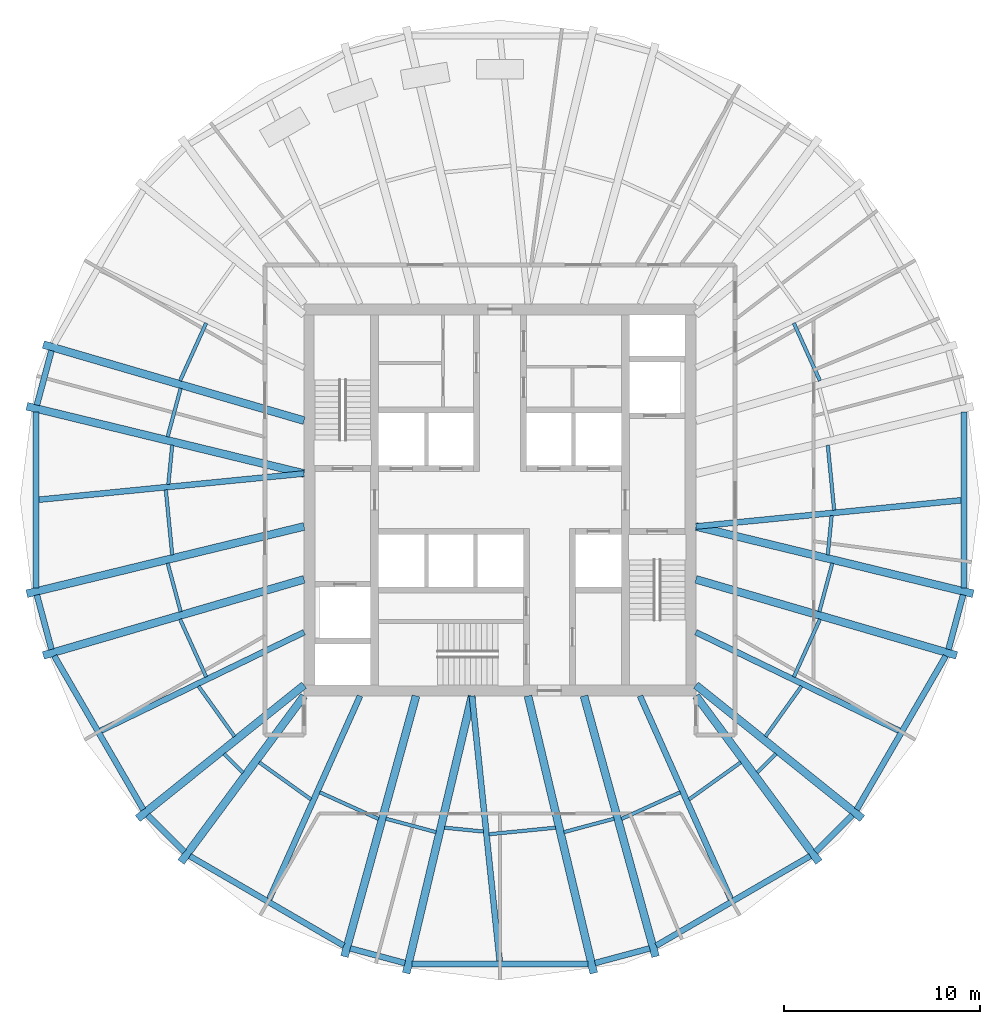
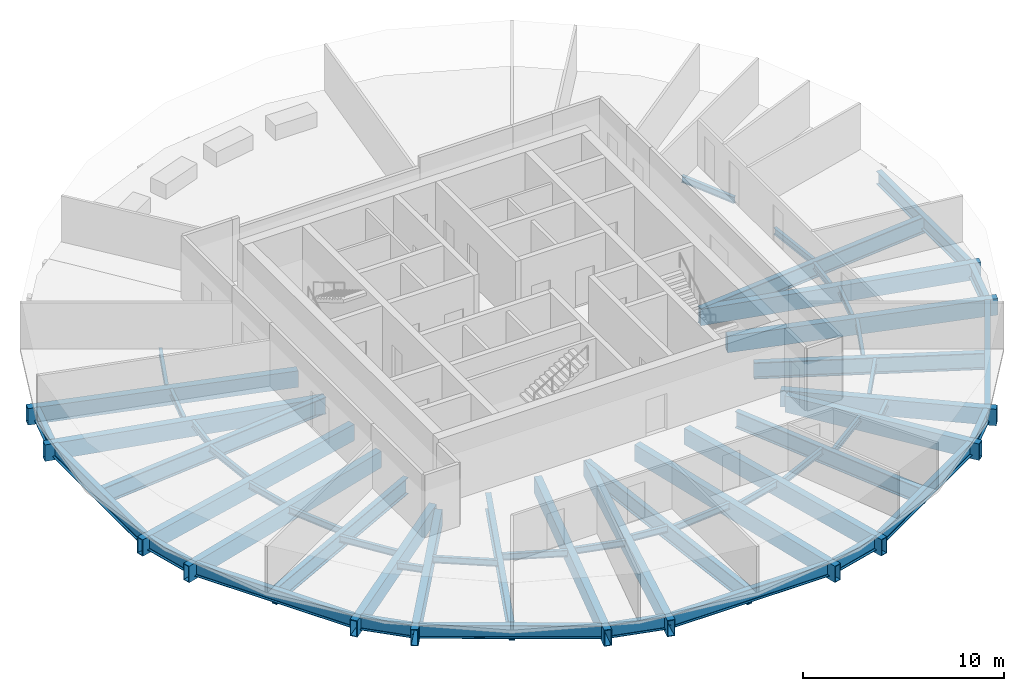
# One storey, part 1 of 7: 58 beams.
"""IFC4 building model written with IfcOpenShell, lengths in metres."""

from ifc_helpers import new_model, si_unit, direction, frame, origin, origin_2d, place, context, subcontext, project, spatial, hollow_rectangle, i_section, extrude, material, material_profile, profile_set, type_object, element, save


model = new_model("IFC4")

# Units and contexts
model_context = context("Model", 3, precision=1e-05, world=origin(), true_north=direction((0.0, 1.0)))
body_context = subcontext(model_context, "Body", "Model", "MODEL_VIEW")
ifc_project = project(units=[si_unit("LENGTHUNIT", "METRE"), si_unit("AREAUNIT", "SQUARE_METRE"), si_unit("VOLUMEUNIT", "CUBIC_METRE"), si_unit("PLANEANGLEUNIT", "RADIAN"), si_unit("MASSUNIT", "GRAM", prefix="KILO")], contexts=[model_context])

# Site, building, storey
site_placement = place(None, origin())
site = spatial("IfcSite", under=ifc_project, at=site_placement, CompositionType="ELEMENT")
building_placement = place(site_placement, origin())
building = spatial("IfcBuilding", under=site, at=building_placement, Name="Golbaran Civic Tower", CompositionType="ELEMENT")
storey_placement = place(building_placement, frame((0.0, 0.0, 106.0)))
storey = spatial("IfcBuildingStorey", under=building, at=storey_placement, Name="L25", CompositionType="ELEMENT", Elevation=106.0)

# Beams
ifc_material = material(Name="Steel S355", Category="steel")
ifc_material_profile_1 = material_profile(ifc_material, i_section(OverallWidth=0.300048828125, OverallDepth=0.800048828125, WebThickness=0.017578125, FlangeThickness=0.032958984375, FilletRadius=0.030029296875, at=origin_2d()), Name="HEB 800")
ifc_profile_set_1 = profile_set([ifc_material_profile_1], Name="Steel S355")
beam_type_1 = type_object("IfcBeamType", Name="EDGE BEAM HEB 800", PredefinedType="BEAM", material=ifc_profile_set_1)
beam_1_placement = place(storey_placement, frame((-22.890380859375, 7.623291015625, -0.60009765625), z_axis=(-0.258798311306, -0.965931381655, 0.0), x_axis=(0.965931381655, -0.258798311306, 0.0)))
element("IfcBeam", 1, at=beam_1_placement, inside=storey, type_object=beam_type_1, Name="Edge beam 161.26 L25", PredefinedType="BEAM", context=body_context, shape_type="SweptSolid", body=[
    extrude(i_section(OverallWidth=0.300048828125, OverallDepth=0.800048828125, WebThickness=0.017578125, FlangeThickness=0.032958984375, FilletRadius=0.030029296875, at=origin_2d()), origin(), (0.0, 0.0, 1.0), 2.876220703125),
])
beam_2_placement = place(storey_placement, frame((-23.681396484375, 4.48583984375, -0.60009765625), z_axis=(0.0, -1.0, 0.0), x_axis=(1.0, 0.0, 0.0)))
element("IfcBeam", 2, at=beam_2_placement, inside=storey, type_object=beam_type_1, Name="Edge beam 168.74 L25", PredefinedType="BEAM", context=body_context, shape_type="SweptSolid", body=[
    extrude(i_section(OverallWidth=0.300048828125, OverallDepth=0.800048828125, WebThickness=0.017578125, FlangeThickness=0.032958984375, FilletRadius=0.030029296875, at=origin_2d()), origin(), (0.0, 0.0, 1.0), 8.9716796875),
])
beam_3_placement = place(storey_placement, frame((-23.634765625, -4.844970703125, -0.60009765625), z_axis=(0.258798311306, -0.965931381655, 0.0), x_axis=(0.965931381655, 0.258798311306, 0.0)))
element("IfcBeam", 3, at=beam_3_placement, inside=storey, type_object=beam_type_1, Name="Edge beam 191.26 L25", PredefinedType="BEAM", context=body_context, shape_type="SweptSolid", body=[
    extrude(i_section(OverallWidth=0.300048828125, OverallDepth=0.800048828125, WebThickness=0.017578125, FlangeThickness=0.032958984375, FilletRadius=0.030029296875, at=origin_2d()), origin(), (0.0, 0.0, 1.0), 2.876220703125),
])
beam_4_placement = place(storey_placement, frame((-22.750732421875, -7.95751953125, -0.60009765625), z_axis=(0.501692291234, -0.865046151899, 0.0), x_axis=(0.865046151899, 0.501692291234, 0.0)))
element("IfcBeam", 4, at=beam_4_placement, inside=storey, type_object=beam_type_1, Name="Edge beam 198.74 L25", PredefinedType="BEAM", context=body_context, shape_type="SweptSolid", body=[
    extrude(i_section(OverallWidth=0.300048828125, OverallDepth=0.800048828125, WebThickness=0.017578125, FlangeThickness=0.032958984375, FilletRadius=0.030029296875, at=origin_2d()), origin(), (0.0, 0.0, 1.0), 9.06396484375),
])
beam_5_placement = place(storey_placement, frame((-17.98388671875, -16.083984375, -0.60009765625), z_axis=(0.706506383865, -0.707706669149, 0.0), x_axis=(0.707706669149, 0.706506383865, 0.0)))
element("IfcBeam", 5, at=beam_5_placement, inside=storey, type_object=beam_type_1, Name="Edge beam 221.26 L25", PredefinedType="BEAM", context=body_context, shape_type="SweptSolid", body=[
    extrude(i_section(OverallWidth=0.300048828125, OverallDepth=0.800048828125, WebThickness=0.017578125, FlangeThickness=0.032958984375, FilletRadius=0.030029296875, at=origin_2d()), origin(), (0.0, 0.0, 1.0), 2.644287109375),
])
beam_6_placement = place(storey_placement, frame((-15.830810546875, -18.17529296875, -0.60009765625), z_axis=(0.864428999751, -0.502754914834, 0.0), x_axis=(0.502754914834, 0.864428999751, 0.0)))
element("IfcBeam", 6, at=beam_6_placement, inside=storey, type_object=beam_type_1, Name="Edge beam 228.74 L25", PredefinedType="BEAM", context=body_context, shape_type="SweptSolid", body=[
    extrude(i_section(OverallWidth=0.300048828125, OverallDepth=0.800048828125, WebThickness=0.017578125, FlangeThickness=0.032958984375, FilletRadius=0.030029296875, at=origin_2d()), origin(), (0.0, 0.0, 1.0), 9.088623046875),
])
beam_7_placement = place(storey_placement, frame((-7.639404296875, -22.884765625, -0.60009765625), z_axis=(0.96577881676, -0.259367070187, 0.0), x_axis=(0.259367070187, 0.96577881676, 0.0)))
element("IfcBeam", 7, at=beam_7_placement, inside=storey, type_object=beam_type_1, Name="Edge beam 251.26 L25", PredefinedType="BEAM", context=body_context, shape_type="SweptSolid", body=[
    extrude(i_section(OverallWidth=0.300048828125, OverallDepth=0.800048828125, WebThickness=0.017578125, FlangeThickness=0.032958984375, FilletRadius=0.030029296875, at=origin_2d()), origin(), (0.0, 0.0, 1.0), 2.887939453125),
])
beam_8_placement = place(storey_placement, frame((-4.491455078125, -23.680419921875, -0.60009765625), z_axis=(1.0, 0.0, 0.0), x_axis=(0.0, 1.0, 0.0)))
element("IfcBeam", 8, at=beam_8_placement, inside=storey, type_object=beam_type_1, Name="Edge beam 258.74 L25", PredefinedType="BEAM", context=body_context, shape_type="SweptSolid", body=[
    extrude(i_section(OverallWidth=0.300048828125, OverallDepth=0.800048828125, WebThickness=0.017578125, FlangeThickness=0.032958984375, FilletRadius=0.030029296875, at=origin_2d()), origin(), (0.0, 0.0, 1.0), 8.98291015625),
])
beam_9_placement = place(storey_placement, frame((4.850341796875, -23.6337890625, -0.60009765625), z_axis=(0.96577881676, 0.259367070187, 0.0), x_axis=(-0.259367070187, 0.96577881676, 0.0)))
element("IfcBeam", 9, at=beam_9_placement, inside=storey, type_object=beam_type_1, Name="Edge beam 281.26 L25", PredefinedType="BEAM", context=body_context, shape_type="SweptSolid", body=[
    extrude(i_section(OverallWidth=0.300048828125, OverallDepth=0.800048828125, WebThickness=0.017578125, FlangeThickness=0.032958984375, FilletRadius=0.030029296875, at=origin_2d()), origin(), (0.0, 0.0, 1.0), 2.887939453125),
])
beam_10_placement = place(storey_placement, frame((7.974365234375, -22.74462890625, -0.60009765625), z_axis=(0.864428999751, 0.502754914834, 0.0), x_axis=(-0.502754914834, 0.864428999751, 0.0)))
element("IfcBeam", 10, at=beam_10_placement, inside=storey, type_object=beam_type_1, Name="Edge beam 288.74 L25", PredefinedType="BEAM", context=body_context, shape_type="SweptSolid", body=[
    extrude(i_section(OverallWidth=0.300048828125, OverallDepth=0.800048828125, WebThickness=0.017578125, FlangeThickness=0.032958984375, FilletRadius=0.030029296875, at=origin_2d()), origin(), (0.0, 0.0, 1.0), 9.088623046875),
])
beam_11_placement = place(storey_placement, frame((16.11572265625, -17.955322265625, -0.60009765625), z_axis=(0.706506383865, 0.707706669149, 0.0), x_axis=(-0.707706669149, 0.706506383865, 0.0)))
element("IfcBeam", 11, at=beam_11_placement, inside=storey, type_object=beam_type_1, Name="Edge beam 311.26 L25", PredefinedType="BEAM", context=body_context, shape_type="SweptSolid", body=[
    extrude(i_section(OverallWidth=0.300048828125, OverallDepth=0.800048828125, WebThickness=0.017578125, FlangeThickness=0.032958984375, FilletRadius=0.030029296875, at=origin_2d()), origin(), (0.0, 0.0, 1.0), 2.644287109375),
])
beam_12_placement = place(storey_placement, frame((18.203369140625, -15.79833984375, -0.60009765625), z_axis=(0.501692291234, 0.865046151899, 0.0), x_axis=(-0.865046151899, 0.501692291234, 0.0)))
element("IfcBeam", 12, at=beam_12_placement, inside=storey, type_object=beam_type_1, Name="Edge beam 318.74 L25", PredefinedType="BEAM", context=body_context, shape_type="SweptSolid", body=[
    extrude(i_section(OverallWidth=0.300048828125, OverallDepth=0.800048828125, WebThickness=0.017578125, FlangeThickness=0.032958984375, FilletRadius=0.030029296875, at=origin_2d()), origin(), (0.0, 0.0, 1.0), 9.06396484375),
])
beam_13_placement = place(storey_placement, frame((22.890380859375, -7.623291015625, -0.60009765625), z_axis=(0.258798311306, 0.965931381655, 0.0), x_axis=(-0.965931381655, 0.258798311306, 0.0)))
element("IfcBeam", 13, at=beam_13_placement, inside=storey, type_object=beam_type_1, Name="Edge beam 341.26 L25", PredefinedType="BEAM", context=body_context, shape_type="SweptSolid", body=[
    extrude(i_section(OverallWidth=0.300048828125, OverallDepth=0.800048828125, WebThickness=0.017578125, FlangeThickness=0.032958984375, FilletRadius=0.030029296875, at=origin_2d()), origin(), (0.0, 0.0, 1.0), 2.876220703125),
])
beam_14_placement = place(storey_placement, frame((23.681396484375, -4.48583984375, -0.60009765625), z_axis=(0.0, 1.0, 0.0), x_axis=(-1.0, 0.0, 0.0)))
element("IfcBeam", 14, at=beam_14_placement, inside=storey, type_object=beam_type_1, Name="Edge beam 348.74 L25", PredefinedType="BEAM", context=body_context, shape_type="SweptSolid", body=[
    extrude(i_section(OverallWidth=0.300048828125, OverallDepth=0.800048828125, WebThickness=0.017578125, FlangeThickness=0.032958984375, FilletRadius=0.030029296875, at=origin_2d()), origin(), (0.0, 0.0, 1.0), 8.9716796875),
])
ifc_material_profile_2 = material_profile(ifc_material, i_section(OverallWidth=0.179931640625, OverallDepth=0.39990234375, WebThickness=0.008544921875, FlangeThickness=0.013427734375, FilletRadius=0.02099609375, at=origin_2d()), Name="IPE 400")
ifc_profile_set_2 = profile_set([ifc_material_profile_2], Name="Steel S355")
beam_type_2 = type_object("IfcBeamType", Name="FLOOR INFILL BEAM IPE 400", PredefinedType="BEAM", material=ifc_profile_set_2)
beam_15_placement = place(storey_placement, frame((17.05615234375, -0.523193359375, -0.39990234375), z_axis=(-0.098170946609, 0.995169566075, 0.0), x_axis=(-0.995169566075, -0.098170946609, 0.0)))
element("IfcBeam", 15, at=beam_15_placement, inside=storey, type_object=beam_type_2, Name="Infill beam 5.63 L25", PredefinedType="BEAM", context=body_context, shape_type="SweptSolid", body=[
    extrude(i_section(OverallWidth=0.179931640625, OverallDepth=0.39990234375, WebThickness=0.008544921875, FlangeThickness=0.013427734375, FilletRadius=0.02099609375, at=origin_2d()), origin(), (0.0, 0.0, 1.0), 3.33740234375),
])
for number, where, z_axis, x_axis, name in (
    (16, (16.329345703125, 6.084228515625, -0.39990234375), (-0.412560820277, 0.910930057453, 0.0), (-0.910930057453, -0.412560820277, 0.0), "Infill beam 24.37 L25"),
    (17, (-14.9970703125, 9.02587890625, -0.39990234375), (-0.412560820277, -0.910930057453, 0.0), (0.910930057453, -0.412560820277, 0.0), "Infill beam 155.63 L25"),
):
    element("IfcBeam", number, at=place(storey_placement, frame(where, z_axis=z_axis, x_axis=x_axis)), inside=storey, type_object=beam_type_2, Name=name, PredefinedType="BEAM", context=body_context, shape_type="SweptSolid", body=[
        extrude(i_section(OverallWidth=0.179931640625, OverallDepth=0.39990234375, WebThickness=0.008544921875, FlangeThickness=0.013427734375, FilletRadius=0.02099609375, at=origin_2d()), origin(), (0.0, 0.0, 1.0), 3.229248046875),
    ])
beam_16_placement = place(storey_placement, frame((-16.298095703125, 5.699951171875, -0.39990234375), z_axis=(-0.258890080624, -0.965906789579, 0.0), x_axis=(0.965906789579, -0.258890080624, 0.0)))
element("IfcBeam", 18, at=beam_16_placement, inside=storey, type_object=beam_type_2, Name="Infill beam 165.00 L25", PredefinedType="BEAM", context=body_context, shape_type="SweptSolid", body=[
    extrude(i_section(OverallWidth=0.179931640625, OverallDepth=0.39990234375, WebThickness=0.008544921875, FlangeThickness=0.013427734375, FilletRadius=0.02099609375, at=origin_2d()), origin(), (0.0, 0.0, 1.0), 2.562255859375),
])
beam_17_placement = place(storey_placement, frame((-16.728515625, 2.798095703125, -0.39990234375), z_axis=(-0.098229321486, -0.995163805813, 0.0), x_axis=(0.995163805813, -0.098229321486, 0.0)))
element("IfcBeam", 19, at=beam_17_placement, inside=storey, type_object=beam_type_2, Name="Infill beam 174.37 L25", PredefinedType="BEAM", context=body_context, shape_type="SweptSolid", body=[
    extrude(i_section(OverallWidth=0.179931640625, OverallDepth=0.39990234375, WebThickness=0.008544921875, FlangeThickness=0.013427734375, FilletRadius=0.02099609375, at=origin_2d()), origin(), (0.0, 0.0, 1.0), 2.0107421875),
])
beam_18_placement = place(storey_placement, frame((-17.05615234375, 0.523193359375, -0.39990234375), z_axis=(0.098170946609, -0.995169566075, 0.0), x_axis=(0.995169566075, 0.098170946609, 0.0)))
element("IfcBeam", 20, at=beam_18_placement, inside=storey, type_object=beam_type_2, Name="Infill beam 185.63 L25", PredefinedType="BEAM", context=body_context, shape_type="SweptSolid", body=[
    extrude(i_section(OverallWidth=0.179931640625, OverallDepth=0.39990234375, WebThickness=0.008544921875, FlangeThickness=0.013427734375, FilletRadius=0.02099609375, at=origin_2d()), origin(), (0.0, 0.0, 1.0), 3.33740234375),
])
beam_19_placement = place(storey_placement, frame((-16.96142578125, -3.22509765625, -0.39990234375), z_axis=(0.258890080624, -0.965906789579, 0.0), x_axis=(0.965906789579, 0.258890080624, 0.0)))
element("IfcBeam", 21, at=beam_19_placement, inside=storey, type_object=beam_type_2, Name="Infill beam 195.00 L25", PredefinedType="BEAM", context=body_context, shape_type="SweptSolid", body=[
    extrude(i_section(OverallWidth=0.179931640625, OverallDepth=0.39990234375, WebThickness=0.008544921875, FlangeThickness=0.013427734375, FilletRadius=0.02099609375, at=origin_2d()), origin(), (0.0, 0.0, 1.0), 2.562255859375),
])
beam_20_placement = place(storey_placement, frame((-16.329345703125, -6.084228515625, -0.39990234375), z_axis=(0.412560820277, -0.910930057453, 0.0), x_axis=(0.910930057453, 0.412560820277, 0.0)))
element("IfcBeam", 22, at=beam_20_placement, inside=storey, type_object=beam_type_2, Name="Infill beam 204.37 L25", PredefinedType="BEAM", context=body_context, shape_type="SweptSolid", body=[
    extrude(i_section(OverallWidth=0.179931640625, OverallDepth=0.39990234375, WebThickness=0.008544921875, FlangeThickness=0.013427734375, FilletRadius=0.02099609375, at=origin_2d()), origin(), (0.0, 0.0, 1.0), 3.229248046875),
])
beam_21_placement = place(storey_placement, frame((-15.387451171875, -9.50390625, -0.39990234375), z_axis=(0.582628915075, -0.812738301865, 0.0), x_axis=(0.812738301865, 0.582628915075, 0.0)))
element("IfcBeam", 23, at=beam_21_placement, inside=storey, type_object=beam_type_2, Name="Infill beam 215.63 L25", PredefinedType="BEAM", context=body_context, shape_type="SweptSolid", body=[
    extrude(i_section(OverallWidth=0.179931640625, OverallDepth=0.39990234375, WebThickness=0.008544921875, FlangeThickness=0.013427734375, FilletRadius=0.02099609375, at=origin_2d()), origin(), (0.0, 0.0, 1.0), 3.1533203125),
])
beam_22_placement = place(storey_placement, frame((-14.0810546875, -12.953857421875, -0.39990234375), z_axis=(0.707196772503, -0.707016778415, 0.0), x_axis=(0.707016778415, 0.707196772503, 0.0)))
element("IfcBeam", 24, at=beam_22_placement, inside=storey, type_object=beam_type_2, Name="Infill beam 225.00 L25", PredefinedType="BEAM", context=body_context, shape_type="SweptSolid", body=[
    extrude(i_section(OverallWidth=0.179931640625, OverallDepth=0.39990234375, WebThickness=0.008544921875, FlangeThickness=0.013427734375, FilletRadius=0.02099609375, at=origin_2d()), origin(), (0.0, 0.0, 1.0), 1.3564453125),
])
beam_23_placement = place(storey_placement, frame((-12.286376953125, -13.3896484375, -0.39990234375), z_axis=(0.812772646158, -0.582581003515, 0.0), x_axis=(0.582581003515, 0.812772646158, 0.0)))
element("IfcBeam", 25, at=beam_23_placement, inside=storey, type_object=beam_type_2, Name="Infill beam 234.37 L25", PredefinedType="BEAM", context=body_context, shape_type="SweptSolid", body=[
    extrude(i_section(OverallWidth=0.179931640625, OverallDepth=0.39990234375, WebThickness=0.008544921875, FlangeThickness=0.013427734375, FilletRadius=0.02099609375, at=origin_2d()), origin(), (0.0, 0.0, 1.0), 3.24853515625),
])
beam_24_placement = place(storey_placement, frame((-9.198974609375, -14.9189453125, -0.39990234375), z_axis=(0.910928962002, -0.412563239013, 0.0), x_axis=(0.412563239013, 0.910928962002, 0.0)))
element("IfcBeam", 26, at=beam_24_placement, inside=storey, type_object=beam_type_2, Name="Infill beam 245.63 L25", PredefinedType="BEAM", context=body_context, shape_type="SweptSolid", body=[
    extrude(i_section(OverallWidth=0.179931640625, OverallDepth=0.39990234375, WebThickness=0.008544921875, FlangeThickness=0.013427734375, FilletRadius=0.02099609375, at=origin_2d()), origin(), (0.0, 0.0, 1.0), 3.294921875),
])
beam_25_placement = place(storey_placement, frame((-5.82080078125, -16.265625, -0.39990234375), z_axis=(0.965937349477, -0.25877603615, 0.0), x_axis=(0.25877603615, 0.965937349477, 0.0)))
element("IfcBeam", 27, at=beam_25_placement, inside=storey, type_object=beam_type_2, Name="Infill beam 255.00 L25", PredefinedType="BEAM", context=body_context, shape_type="SweptSolid", body=[
    extrude(i_section(OverallWidth=0.179931640625, OverallDepth=0.39990234375, WebThickness=0.008544921875, FlangeThickness=0.013427734375, FilletRadius=0.02099609375, at=origin_2d()), origin(), (0.0, 0.0, 1.0), 2.647216796875),
])
beam_26_placement = place(storey_placement, frame((-2.83984375, -16.723876953125, -0.39990234375), z_axis=(0.995175500492, -0.098110770156, 0.0), x_axis=(0.098110770156, 0.995175500492, 0.0)))
element("IfcBeam", 28, at=beam_26_placement, inside=storey, type_object=beam_type_2, Name="Infill beam 264.37 L25", PredefinedType="BEAM", context=body_context, shape_type="SweptSolid", body=[
    extrude(i_section(OverallWidth=0.179931640625, OverallDepth=0.39990234375, WebThickness=0.008544921875, FlangeThickness=0.013427734375, FilletRadius=0.02099609375, at=origin_2d()), origin(), (0.0, 0.0, 1.0), 2.01318359375),
])
beam_27_placement = place(storey_placement, frame((-0.560791015625, -17.059326171875, -0.39990234375), z_axis=(0.995169987823, 0.098166671209, 0.0), x_axis=(-0.098166671209, 0.995169987823, 0.0)))
element("IfcBeam", 29, at=beam_27_placement, inside=storey, type_object=beam_type_2, Name="Infill beam 275.63 L25", PredefinedType="BEAM", context=body_context, shape_type="SweptSolid", body=[
    extrude(i_section(OverallWidth=0.179931640625, OverallDepth=0.39990234375, WebThickness=0.008544921875, FlangeThickness=0.013427734375, FilletRadius=0.02099609375, at=origin_2d()), origin(), (0.0, 0.0, 1.0), 3.417236328125),
])
beam_28_placement = place(storey_placement, frame((3.263671875, -16.95068359375, -0.39990234375), z_axis=(0.965937349477, 0.25877603615, 0.0), x_axis=(-0.25877603615, 0.965937349477, 0.0)))
element("IfcBeam", 30, at=beam_28_placement, inside=storey, type_object=beam_type_2, Name="Infill beam 285.00 L25", PredefinedType="BEAM", context=body_context, shape_type="SweptSolid", body=[
    extrude(i_section(OverallWidth=0.179931640625, OverallDepth=0.39990234375, WebThickness=0.008544921875, FlangeThickness=0.013427734375, FilletRadius=0.02099609375, at=origin_2d()), origin(), (0.0, 0.0, 1.0), 2.647216796875),
])
beam_29_placement = place(storey_placement, frame((6.197509765625, -16.2783203125, -0.39990234375), z_axis=(0.910928962002, 0.412563239013, 0.0), x_axis=(-0.412563239013, 0.910928962002, 0.0)))
element("IfcBeam", 31, at=beam_29_placement, inside=storey, type_object=beam_type_2, Name="Infill beam 294.37 L25", PredefinedType="BEAM", context=body_context, shape_type="SweptSolid", body=[
    extrude(i_section(OverallWidth=0.179931640625, OverallDepth=0.39990234375, WebThickness=0.008544921875, FlangeThickness=0.013427734375, FilletRadius=0.02099609375, at=origin_2d()), origin(), (0.0, 0.0, 1.0), 3.294921875),
])
beam_30_placement = place(storey_placement, frame((9.64599609375, -15.2822265625, -0.39990234375), z_axis=(0.812772646158, 0.582581003515, 0.0), x_axis=(-0.582581003515, 0.812772646158, 0.0)))
element("IfcBeam", 32, at=beam_30_placement, inside=storey, type_object=beam_type_2, Name="Infill beam 305.63 L25", PredefinedType="BEAM", context=body_context, shape_type="SweptSolid", body=[
    extrude(i_section(OverallWidth=0.179931640625, OverallDepth=0.39990234375, WebThickness=0.008544921875, FlangeThickness=0.013427734375, FilletRadius=0.02099609375, at=origin_2d()), origin(), (0.0, 0.0, 1.0), 3.24853515625),
])
beam_31_placement = place(storey_placement, frame((13.121826171875, -13.912841796875, -0.39990234375), z_axis=(0.707196772503, 0.707016778415, 0.0), x_axis=(-0.707016778415, 0.707196772503, 0.0)))
element("IfcBeam", 33, at=beam_31_placement, inside=storey, type_object=beam_type_2, Name="Infill beam 315.00 L25", PredefinedType="BEAM", context=body_context, shape_type="SweptSolid", body=[
    extrude(i_section(OverallWidth=0.179931640625, OverallDepth=0.39990234375, WebThickness=0.008544921875, FlangeThickness=0.013427734375, FilletRadius=0.02099609375, at=origin_2d()), origin(), (0.0, 0.0, 1.0), 1.3564453125),
])
beam_32_placement = place(storey_placement, frame((13.55029296875, -12.066650390625, -0.39990234375), z_axis=(0.582628915075, 0.812738301865, 0.0), x_axis=(-0.812738301865, 0.582628915075, 0.0)))
element("IfcBeam", 34, at=beam_32_placement, inside=storey, type_object=beam_type_2, Name="Infill beam 324.37 L25", PredefinedType="BEAM", context=body_context, shape_type="SweptSolid", body=[
    extrude(i_section(OverallWidth=0.179931640625, OverallDepth=0.39990234375, WebThickness=0.008544921875, FlangeThickness=0.013427734375, FilletRadius=0.02099609375, at=origin_2d()), origin(), (0.0, 0.0, 1.0), 3.1533203125),
])
beam_33_placement = place(storey_placement, frame((14.9970703125, -9.02587890625, -0.39990234375), z_axis=(0.412560820277, 0.910930057453, 0.0), x_axis=(-0.910930057453, 0.412560820277, 0.0)))
element("IfcBeam", 35, at=beam_33_placement, inside=storey, type_object=beam_type_2, Name="Infill beam 335.63 L25", PredefinedType="BEAM", context=body_context, shape_type="SweptSolid", body=[
    extrude(i_section(OverallWidth=0.179931640625, OverallDepth=0.39990234375, WebThickness=0.008544921875, FlangeThickness=0.013427734375, FilletRadius=0.02099609375, at=origin_2d()), origin(), (0.0, 0.0, 1.0), 3.229248046875),
])
beam_34_placement = place(storey_placement, frame((16.298095703125, -5.699951171875, -0.39990234375), z_axis=(0.258890080624, 0.965906789579, 0.0), x_axis=(-0.965906789579, 0.258890080624, 0.0)))
element("IfcBeam", 36, at=beam_34_placement, inside=storey, type_object=beam_type_2, Name="Infill beam 345.00 L25", PredefinedType="BEAM", context=body_context, shape_type="SweptSolid", body=[
    extrude(i_section(OverallWidth=0.179931640625, OverallDepth=0.39990234375, WebThickness=0.008544921875, FlangeThickness=0.013427734375, FilletRadius=0.02099609375, at=origin_2d()), origin(), (0.0, 0.0, 1.0), 2.562255859375),
])
beam_35_placement = place(storey_placement, frame((16.728515625, -2.798095703125, -0.39990234375), z_axis=(0.098229321486, 0.995163805813, 0.0), x_axis=(-0.995163805813, 0.098229321486, 0.0)))
element("IfcBeam", 37, at=beam_35_placement, inside=storey, type_object=beam_type_2, Name="Infill beam 354.37 L25", PredefinedType="BEAM", context=body_context, shape_type="SweptSolid", body=[
    extrude(i_section(OverallWidth=0.179931640625, OverallDepth=0.39990234375, WebThickness=0.008544921875, FlangeThickness=0.013427734375, FilletRadius=0.02099609375, at=origin_2d()), origin(), (0.0, 0.0, 1.0), 2.0107421875),
])
ifc_material_profile_3 = material_profile(ifc_material, hollow_rectangle(XDim=0.39990234375, YDim=1.0, WallThickness=0.0400390625, at=origin_2d()), Name="BOX 1000x400x40")
ifc_profile_set_3 = profile_set([ifc_material_profile_3], Name="Steel S355")
beam_type_3 = type_object("IfcBeamType", Name="RADIAL FLOOR BEAM BOX 1000x400x40", PredefinedType="BEAM", material=ifc_profile_set_3)
beam_36_placement = place(storey_placement, frame((-10.0, 4.050048828125, -0.7099609375), z_axis=(-0.959980269582, 0.280067638282, 0.0), x_axis=(-0.280067638282, -0.959980269582, 0.0)))
element("IfcBeam", 38, at=beam_36_placement, inside=storey, type_object=beam_type_3, Name="Radial beam 161.26 L25", PredefinedType="BEAM", context=body_context, shape_type="SweptSolid", body=[
    extrude(hollow_rectangle(XDim=0.39990234375, YDim=1.0, WallThickness=0.0400390625, at=origin_2d()), origin(), (0.0, 0.0, 1.0), 13.8603515625),
])
for number, where, z_axis, x_axis, name in (
    (39, (-10.0, 1.35009765625, -0.7099609375), (-0.971783635341, 0.235874047077, 0.0), (-0.235874047077, -0.971783635341, 0.0), "Radial beam 168.74 L25"),
    (40, (-10.0, -1.35009765625, -0.7099609375), (-0.971783635341, -0.235874047077, 0.0), (0.235874047077, -0.971783635341, 0.0), "Radial beam 191.26 L25"),
):
    element("IfcBeam", number, at=place(storey_placement, frame(where, z_axis=z_axis, x_axis=x_axis)), inside=storey, type_object=beam_type_3, Name=name, PredefinedType="BEAM", context=body_context, shape_type="SweptSolid", body=[
        extrude(hollow_rectangle(XDim=0.39990234375, YDim=1.0, WallThickness=0.0400390625, at=origin_2d()), origin(), (0.0, 0.0, 1.0), 14.56005859375),
    ])
beam_37_placement = place(storey_placement, frame((-10.0, -4.050048828125, -0.7099609375), z_axis=(-0.959980269582, -0.280067638282, 0.0), x_axis=(0.280067638282, -0.959980269582, 0.0)))
element("IfcBeam", 41, at=beam_37_placement, inside=storey, type_object=beam_type_3, Name="Radial beam 198.74 L25", PredefinedType="BEAM", context=body_context, shape_type="SweptSolid", body=[
    extrude(hollow_rectangle(XDim=0.39990234375, YDim=1.0, WallThickness=0.0400390625, at=origin_2d()), origin(), (0.0, 0.0, 1.0), 13.8603515625),
])
beam_38_placement = place(storey_placement, frame((-10.0, -9.449951171875, -0.7099609375), z_axis=(-0.780102222778, -0.625652077449, 0.0), x_axis=(0.625652077449, -0.780102222778, 0.0)))
element("IfcBeam", 42, at=beam_38_placement, inside=storey, type_object=beam_type_3, Name="Radial beam 221.26 L25", PredefinedType="BEAM", context=body_context, shape_type="SweptSolid", body=[
    extrude(hollow_rectangle(XDim=0.39990234375, YDim=1.0, WallThickness=0.0400390625, at=origin_2d()), origin(), (0.0, 0.0, 1.0), 10.883056640625),
])
beam_39_placement = place(storey_placement, frame((-10.0, -10.0, -0.7099609375), z_axis=(-0.595163334962, -0.803604756529, 0.0), x_axis=(0.803604756529, -0.595163334962, 0.0)))
element("IfcBeam", 43, at=beam_39_placement, inside=storey, type_object=beam_type_3, Name="Radial beam 228.74 L25", PredefinedType="BEAM", context=body_context, shape_type="SweptSolid", body=[
    extrude(hollow_rectangle(XDim=0.39990234375, YDim=1.0, WallThickness=0.0400390625, at=origin_2d()), origin(), (0.0, 0.0, 1.0), 10.54736328125),
])
beam_40_placement = place(storey_placement, frame((-4.28564453125, -10.0, -0.7099609375), z_axis=(-0.26495286569, -0.964261364446, 0.0), x_axis=(0.964261364446, -0.26495286569, 0.0)))
element("IfcBeam", 44, at=beam_40_placement, inside=storey, type_object=beam_type_3, Name="Radial beam 251.26 L25", PredefinedType="BEAM", context=body_context, shape_type="SweptSolid", body=[
    extrude(hollow_rectangle(XDim=0.39990234375, YDim=1.0, WallThickness=0.0400390625, at=origin_2d()), origin(), (0.0, 0.0, 1.0), 13.794921875),
])
for number, where, z_axis, x_axis, name in (
    (45, (-1.428466796875, -10.0, -0.7099609375), (-0.230995551245, -0.972954806404, 0.0), (0.972954806404, -0.230995551245, 0.0), "Radial beam 258.74 L25"),
    (46, (1.428466796875, -10.0, -0.7099609375), (0.230995551245, -0.972954806404, 0.0), (0.972954806404, 0.230995551245, 0.0), "Radial beam 281.26 L25"),
):
    element("IfcBeam", number, at=place(storey_placement, frame(where, z_axis=z_axis, x_axis=x_axis)), inside=storey, type_object=beam_type_3, Name=name, PredefinedType="BEAM", context=body_context, shape_type="SweptSolid", body=[
        extrude(hollow_rectangle(XDim=0.39990234375, YDim=1.0, WallThickness=0.0400390625, at=origin_2d()), origin(), (0.0, 0.0, 1.0), 14.5419921875),
    ])
beam_41_placement = place(storey_placement, frame((4.28564453125, -10.0, -0.7099609375), z_axis=(0.26495286569, -0.964261364446, 0.0), x_axis=(0.964261364446, 0.26495286569, 0.0)))
element("IfcBeam", 47, at=beam_41_placement, inside=storey, type_object=beam_type_3, Name="Radial beam 288.74 L25", PredefinedType="BEAM", context=body_context, shape_type="SweptSolid", body=[
    extrude(hollow_rectangle(XDim=0.39990234375, YDim=1.0, WallThickness=0.0400390625, at=origin_2d()), origin(), (0.0, 0.0, 1.0), 13.794921875),
])
beam_42_placement = place(storey_placement, frame((10.0, -10.0, -0.7099609375), z_axis=(0.595163334962, -0.803604756529, 0.0), x_axis=(0.803604756529, 0.595163334962, 0.0)))
element("IfcBeam", 48, at=beam_42_placement, inside=storey, type_object=beam_type_3, Name="Radial beam 311.26 L25", PredefinedType="BEAM", context=body_context, shape_type="SweptSolid", body=[
    extrude(hollow_rectangle(XDim=0.39990234375, YDim=1.0, WallThickness=0.0400390625, at=origin_2d()), origin(), (0.0, 0.0, 1.0), 10.54736328125),
])
beam_43_placement = place(storey_placement, frame((10.0, -9.449951171875, -0.7099609375), z_axis=(0.780102222778, -0.625652077449, 0.0), x_axis=(0.625652077449, 0.780102222778, 0.0)))
element("IfcBeam", 49, at=beam_43_placement, inside=storey, type_object=beam_type_3, Name="Radial beam 318.74 L25", PredefinedType="BEAM", context=body_context, shape_type="SweptSolid", body=[
    extrude(hollow_rectangle(XDim=0.39990234375, YDim=1.0, WallThickness=0.0400390625, at=origin_2d()), origin(), (0.0, 0.0, 1.0), 10.883056640625),
])
beam_44_placement = place(storey_placement, frame((10.0, -4.050048828125, -0.7099609375), z_axis=(0.959980269582, -0.280067638282, 0.0), x_axis=(0.280067638282, 0.959980269582, 0.0)))
element("IfcBeam", 50, at=beam_44_placement, inside=storey, type_object=beam_type_3, Name="Radial beam 341.26 L25", PredefinedType="BEAM", context=body_context, shape_type="SweptSolid", body=[
    extrude(hollow_rectangle(XDim=0.39990234375, YDim=1.0, WallThickness=0.0400390625, at=origin_2d()), origin(), (0.0, 0.0, 1.0), 13.8603515625),
])
beam_45_placement = place(storey_placement, frame((10.0, -1.35009765625, -0.7099609375), z_axis=(0.971783635341, -0.235874047077, 0.0), x_axis=(0.235874047077, 0.971783635341, 0.0)))
element("IfcBeam", 51, at=beam_45_placement, inside=storey, type_object=beam_type_3, Name="Radial beam 348.74 L25", PredefinedType="BEAM", context=body_context, shape_type="SweptSolid", body=[
    extrude(hollow_rectangle(XDim=0.39990234375, YDim=1.0, WallThickness=0.0400390625, at=origin_2d()), origin(), (0.0, 0.0, 1.0), 14.56005859375),
])
ifc_material_profile_4 = material_profile(ifc_material, i_section(OverallWidth=0.300048828125, OverallDepth=1.0, WebThickness=0.01904296875, FlangeThickness=0.035888671875, FilletRadius=0.030029296875, at=origin_2d()), Name="HEB 1000")
ifc_profile_set_4 = profile_set([ifc_material_profile_4], Name="Steel S355")
beam_type_4 = type_object("IfcBeamType", Name="SECONDARY FLOOR BEAM HEB 1000", PredefinedType="BEAM", material=ifc_profile_set_4)
for number, where, z_axis, x_axis, name in (
    (52, (10.0, -1.35009765625, -0.7099609375), (0.99516627749, 0.098204277637, 0.0), (-0.098204277637, 0.99516627749, 0.0), "Secondary beam 0.00 L25"),
    (53, (-10.0, 1.35009765625, -0.7099609375), (-0.99516627749, -0.098204277637, 0.0), (0.098204277637, -0.99516627749, 0.0), "Secondary beam 180.00 L25"),
):
    element("IfcBeam", number, at=place(storey_placement, frame(where, z_axis=z_axis, x_axis=x_axis)), inside=storey, type_object=beam_type_4, Name=name, PredefinedType="BEAM", context=body_context, shape_type="SweptSolid", body=[
        extrude(i_section(OverallWidth=0.300048828125, OverallDepth=1.0, WebThickness=0.01904296875, FlangeThickness=0.035888671875, FilletRadius=0.030029296875, at=origin_2d()), origin(), (0.0, 0.0, 1.0), 13.747802734375),
    ])
beam_46_placement = place(storey_placement, frame((-10.0, -6.75, -0.7099609375), z_axis=(-0.899984786918, -0.43592130404, 0.0), x_axis=(0.43592130404, -0.899984786918, 0.0)))
element("IfcBeam", 54, at=beam_46_placement, inside=storey, type_object=beam_type_4, Name="Secondary beam 210.00 L25", PredefinedType="BEAM", context=body_context, shape_type="SweptSolid", body=[
    extrude(i_section(OverallWidth=0.300048828125, OverallDepth=1.0, WebThickness=0.01904296875, FlangeThickness=0.035888671875, FilletRadius=0.030029296875, at=origin_2d()), origin(), (0.0, 0.0, 1.0), 11.668212890625),
])
beam_47_placement = place(storey_placement, frame((-7.142822265625, -10.0, -0.7099609375), z_axis=(-0.408036451148, -0.912965637105, 0.0), x_axis=(0.912965637105, -0.408036451148, 0.0)))
element("IfcBeam", 55, at=beam_47_placement, inside=storey, type_object=beam_type_4, Name="Secondary beam 240.00 L25", PredefinedType="BEAM", context=body_context, shape_type="SweptSolid", body=[
    extrude(i_section(OverallWidth=0.300048828125, OverallDepth=1.0, WebThickness=0.01904296875, FlangeThickness=0.035888671875, FilletRadius=0.030029296875, at=origin_2d()), origin(), (0.0, 0.0, 1.0), 11.5),
])
beam_48_placement = place(storey_placement, frame((-1.428466796875, -10.0, -0.7099609375), z_axis=(0.103852272395, -0.994592733494, 0.0), x_axis=(0.994592733494, 0.103852272395, 0.0)))
element("IfcBeam", 56, at=beam_48_placement, inside=storey, type_object=beam_type_4, Name="Secondary beam 270.00 L25", PredefinedType="BEAM", context=body_context, shape_type="SweptSolid", body=[
    extrude(i_section(OverallWidth=0.300048828125, OverallDepth=1.0, WebThickness=0.01904296875, FlangeThickness=0.035888671875, FilletRadius=0.030029296875, at=origin_2d()), origin(), (0.0, 0.0, 1.0), 13.7548828125),
])
beam_49_placement = place(storey_placement, frame((7.142822265625, -10.0, -0.7099609375), z_axis=(0.408036451148, -0.912965637105, 0.0), x_axis=(0.912965637105, 0.408036451148, 0.0)))
element("IfcBeam", 57, at=beam_49_placement, inside=storey, type_object=beam_type_4, Name="Secondary beam 300.00 L25", PredefinedType="BEAM", context=body_context, shape_type="SweptSolid", body=[
    extrude(i_section(OverallWidth=0.300048828125, OverallDepth=1.0, WebThickness=0.01904296875, FlangeThickness=0.035888671875, FilletRadius=0.030029296875, at=origin_2d()), origin(), (0.0, 0.0, 1.0), 11.5),
])
beam_50_placement = place(storey_placement, frame((10.0, -6.75, -0.7099609375), z_axis=(0.899984786918, -0.43592130404, 0.0), x_axis=(0.43592130404, 0.899984786918, 0.0)))
element("IfcBeam", 58, at=beam_50_placement, inside=storey, type_object=beam_type_4, Name="Secondary beam 330.00 L25", PredefinedType="BEAM", context=body_context, shape_type="SweptSolid", body=[
    extrude(i_section(OverallWidth=0.300048828125, OverallDepth=1.0, WebThickness=0.01904296875, FlangeThickness=0.035888671875, FilletRadius=0.030029296875, at=origin_2d()), origin(), (0.0, 0.0, 1.0), 11.668212890625),
])

save(model, "model.ifc")
